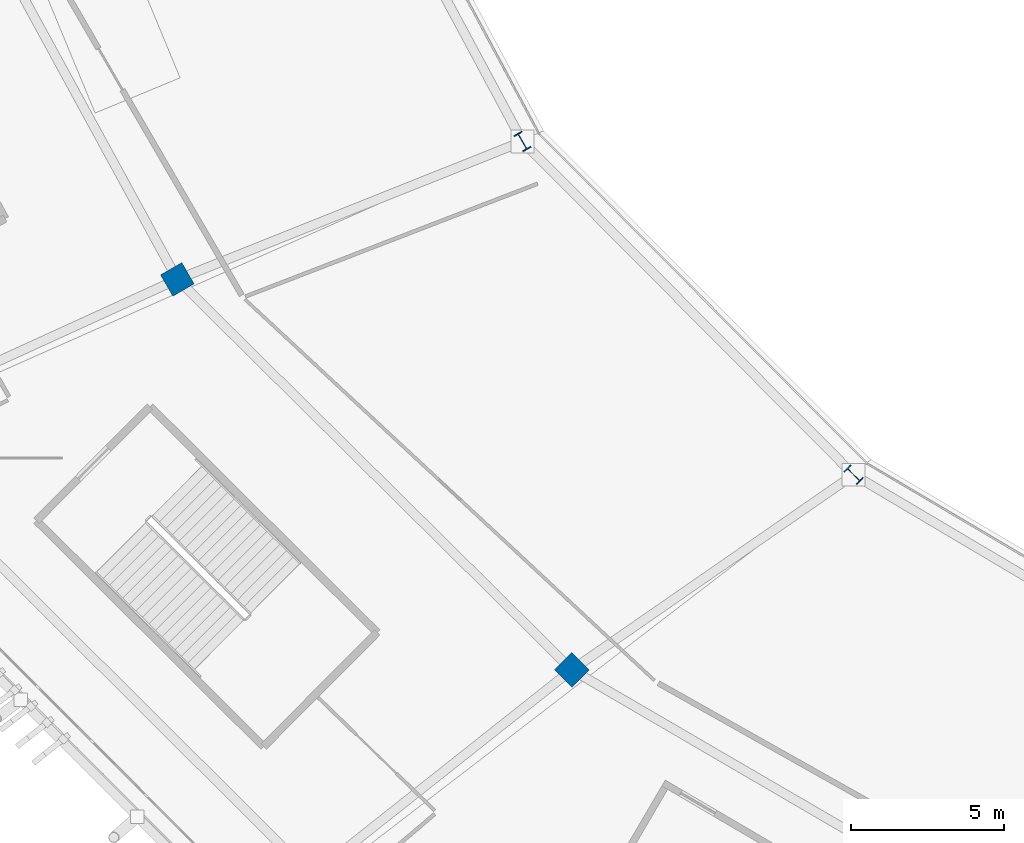
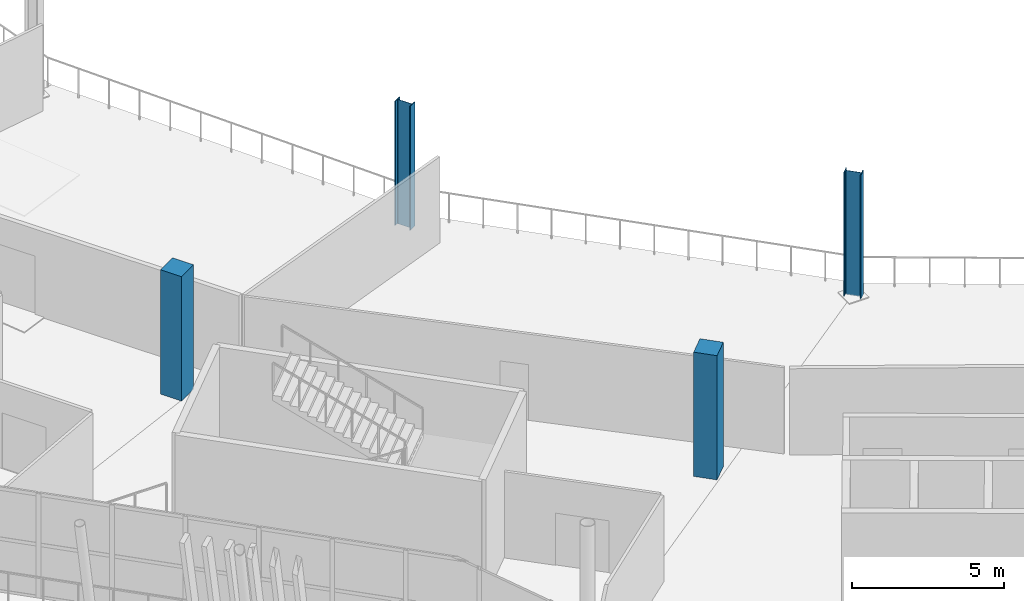
# One storey, part 3 of 179: 4 columns.
"""IFC4 building model written with IfcOpenShell, lengths in metres."""

from ifc_helpers import new_model, si_unit, direction, frame, origin, origin_2d, place, context, subcontext, project, spatial, rectangle, i_section, extrude, material, material_profile, profile_set, type_object, element, save


model = new_model("IFC4")

# Units and contexts
model_context = context("Model", 3, precision=1e-05, world=origin(), true_north=direction((0.0, 1.0)))
body_context = subcontext(model_context, "Body", "Model", "MODEL_VIEW")
ifc_project = project(units=[si_unit("LENGTHUNIT", "METRE"), si_unit("AREAUNIT", "SQUARE_METRE"), si_unit("VOLUMEUNIT", "CUBIC_METRE"), si_unit("PLANEANGLEUNIT", "RADIAN"), si_unit("MASSUNIT", "GRAM", prefix="KILO")], contexts=[model_context])

# Site, building, storey
site_placement = place(None, origin())
site = spatial("IfcSite", under=ifc_project, at=site_placement, CompositionType="ELEMENT")
building_placement = place(site_placement, origin())
building = spatial("IfcBuilding", under=site, at=building_placement, Name="Zlatoyarsky Gate Stadium", CompositionType="ELEMENT")
storey_placement = place(building_placement, frame((0.0, 0.0, 10.60009765625)))
storey = spatial("IfcBuildingStorey", under=building, at=storey_placement, Name="L02", CompositionType="ELEMENT", Elevation=10.60009765625)

# Columns
ifc_material_1 = material(Name="Concrete C40/50", Category="concrete")
ifc_material_profile_1 = material_profile(ifc_material_1, rectangle(XDim=0.800048828125, YDim=0.800048828125, at=origin_2d()), Name="RC COL 800X800")
ifc_profile_set_1 = profile_set([ifc_material_profile_1], Name="Concrete C40/50")
column_type_1 = type_object("IfcColumnType", Name="CONCRETE COLUMN 800X800", PredefinedType="COLUMN", material=ifc_profile_set_1)
for number, where, z_axis, x_axis, name in (
    (1, (40.851806640625, 49.25, 0.0), (0.0, 0.0, 1.0), (-0.866025403784, -0.5, 0.0), "Column RC-C80 RB-14 on L02"),
    (2, (53.724365234375, 36.512939453125, 0.0), (0.0, 0.0, 1.0), (-0.707106781187, -0.707106781187, 0.0), "Column RC-C80 RB-15 on L02"),
):
    element("IfcColumn", number, at=place(storey_placement, frame(where, z_axis=z_axis, x_axis=x_axis)), inside=storey, type_object=column_type_1, Name=name, PredefinedType="COLUMN", context=body_context, shape_type="SweptSolid", body=[
        extrude(rectangle(XDim=0.800048828125, YDim=0.800048828125, at=origin_2d()), origin(), (0.0, 0.0, 1.0), 5.0),
    ])
ifc_material_2 = material(Name="Steel S355", Category="steel")
ifc_material_profile_2 = material_profile(ifc_material_2, i_section(OverallWidth=0.300048828125, OverallDepth=0.60009765625, WebThickness=0.015380859375, FlangeThickness=0.030029296875, FilletRadius=0.027099609375, at=origin_2d()), Name="HEB 600")
ifc_profile_set_2 = profile_set([ifc_material_profile_2], Name="Steel S355")
column_type_2 = type_object("IfcColumnType", Name="STEEL COLUMN HEB 600", PredefinedType="COLUMN", material=ifc_profile_set_2)
for number, where, z_axis, x_axis, name in (
    (3, (52.1103515625, 53.75, 0.0), (0.0, 0.0, 1.0), (-0.866025403784, -0.5, 0.0), "Column ST-C600 RA-14 on L02"),
    (4, (62.916748046875, 42.876953125, 0.0), (0.0, 0.0, 1.0), (-0.707106781187, -0.707106781187, 0.0), "Column ST-C600 RA-15 on L02"),
):
    element("IfcColumn", number, at=place(storey_placement, frame(where, z_axis=z_axis, x_axis=x_axis)), inside=storey, type_object=column_type_2, Name=name, PredefinedType="COLUMN", context=body_context, shape_type="SweptSolid", body=[
        extrude(i_section(OverallWidth=0.300048828125, OverallDepth=0.60009765625, WebThickness=0.015380859375, FlangeThickness=0.030029296875, FilletRadius=0.027099609375, at=origin_2d()), origin(), (0.0, 0.0, 1.0), 5.0),
    ])

save(model, "model.ifc")
